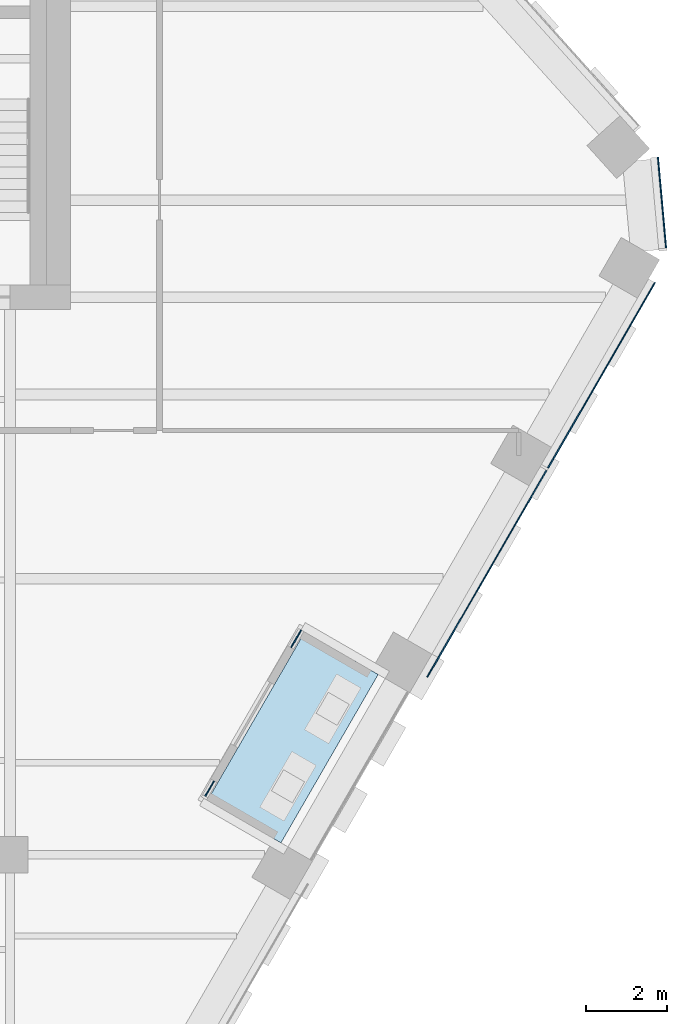
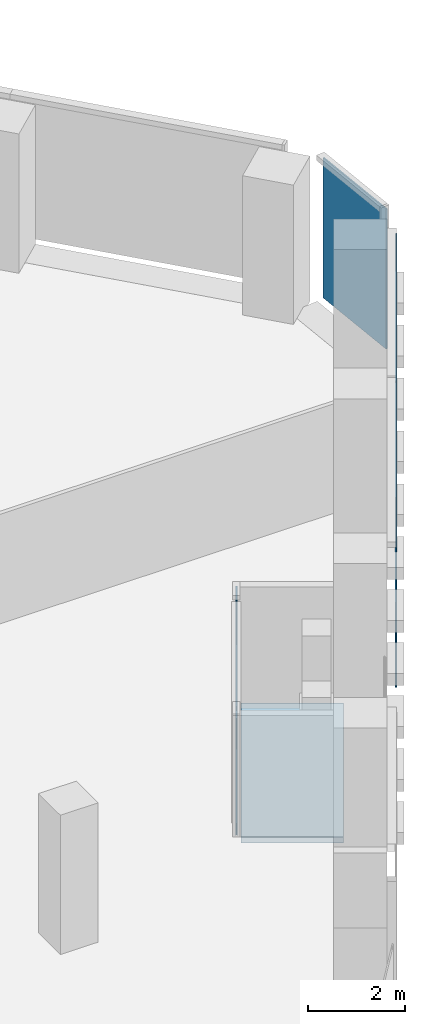
# One storey, part 12 of 24: 5 plates, 1 slab, 3 elements without a shape of their own.
"""IFC4 building model written with IfcOpenShell, lengths in metres."""

from ifc_helpers import new_model, si_unit, direction, frame, origin, origin_2d, place, context, subcontext, project, spatial, polyline, rectangle, outline, extrude, material, layer, layer_set, type_object, element, aggregate, save


model = new_model("IFC4")

# Units and contexts
model_context = context("Model", 3, precision=1e-05, world=origin(), true_north=direction((0.0, 1.0)))
body_context = subcontext(model_context, "Body", "Model", "MODEL_VIEW")
ifc_project = project(units=[si_unit("LENGTHUNIT", "METRE"), si_unit("AREAUNIT", "SQUARE_METRE"), si_unit("VOLUMEUNIT", "CUBIC_METRE"), si_unit("PLANEANGLEUNIT", "RADIAN"), si_unit("MASSUNIT", "GRAM", prefix="KILO")], contexts=[model_context])

# Site, building, storey
site_placement = place(None, origin())
site = spatial("IfcSite", under=ifc_project, at=site_placement, CompositionType="ELEMENT")
building_placement = place(site_placement, origin())
building = spatial("IfcBuilding", under=site, at=building_placement, Name="Isthmus Gate Tower", CompositionType="ELEMENT")
storey_placement = place(building_placement, frame((0.0, 0.0, 234.550048828125)))
storey = spatial("IfcBuildingStorey", under=building, at=storey_placement, Name="L59", CompositionType="ELEMENT", Elevation=234.550048828125)

# Curtain wall, plates
ifc_material_1 = material(Name="Aluminium, pale champagne anodised", Category="aluminium")
ifc_layer_1 = layer(ifc_material_1, 0.199951171875)
ifc_layer_set_1 = layer_set([ifc_layer_1], Name="CW-1 UNITISED CURTAIN WALL 200 DEEP")
curtain_wall_type_1 = type_object("IfcCurtainWallType", Name="CW-1 UNITISED CURTAIN WALL 200 DEEP", PredefinedType="NOTDEFINED", material=ifc_layer_set_1)
curtain_wall_1_placement = place(storey_placement, origin())
curtain_wall_1 = element("IfcCurtainWall", 1, at=curtain_wall_1_placement, inside=storey, type_object=curtain_wall_type_1, Name="CW-1 SE L59", PredefinedType="NOTDEFINED")
ifc_material_2 = material(Name="Laminated low-iron glass, pale blue tint", Category="glass")
ifc_layer_2 = layer(ifc_material_2, 0.031982421875)
ifc_layer_set_2 = layer_set([ifc_layer_2], Name="CW-1 CLEAR GLASS LITE 32")
plate_type_1 = type_object("IfcPlateType", Name="CW-1 CLEAR GLASS LITE 32", PredefinedType="CURTAIN_PANEL", material=ifc_layer_set_2)
plate_1_placement = place(storey_placement, frame((25.302734375, -6.54248046875, 0.0), z_axis=(0.0, 0.0, 1.0), x_axis=(0.5, 0.866025403784, 0.0)))
plate_1 = element("IfcPlate", 2, at=plate_1_placement, type_object=plate_type_1, Name="CW-1 glass lite", PredefinedType="CURTAIN_PANEL", context=body_context, shape_type="SweptSolid", body=[
    extrude(rectangle(XDim=5.91064453125, YDim=0.031982421875, at=origin_2d()), origin(), (0.0, 0.0, 1.0), 3.52001953125),
])
plate_2_placement = place(storey_placement, frame((28.135498046875, -1.635986328125, 0.0), z_axis=(0.0, 0.0, 1.0), x_axis=(0.5, 0.866025403784, 0.0)))
plate_2 = element("IfcPlate", 3, at=plate_2_placement, type_object=plate_type_1, Name="CW-1 glass lite", PredefinedType="CURTAIN_PANEL", context=body_context, shape_type="SweptSolid", body=[
    extrude(rectangle(XDim=5.300537109375, YDim=0.031982421875, at=origin_2d()), origin(), (0.0, 0.0, 1.0), 3.52001953125),
])
aggregate(curtain_wall_1, [plate_1, plate_2])

# Curtain wall, plate
curtain_wall_2_placement = place(storey_placement, origin())
curtain_wall_2 = element("IfcCurtainWall", 4, at=curtain_wall_2_placement, inside=storey, type_object=curtain_wall_type_1, Name="CW-1 SE-NE L59", PredefinedType="NOTDEFINED")
plate_3_placement = place(storey_placement, frame((29.63427734375, 2.638671875, 0.0), z_axis=(0.0, 0.0, 1.0), x_axis=(-0.089396669717, 0.995996102123, 0.0)))
plate_3 = element("IfcPlate", 5, at=plate_3_placement, type_object=plate_type_1, Name="CW-1 glass lite", PredefinedType="CURTAIN_PANEL", context=body_context, shape_type="SweptSolid", body=[
    extrude(rectangle(XDim=2.258544921875, YDim=0.031982421875, at=origin_2d()), origin(), (0.0, 0.0, 1.0), 3.52001953125),
])
aggregate(curtain_wall_2, [plate_3])

# Curtain wall, plates
ifc_material_3 = material(Name="Aluminium, pale champagne anodised", Category="aluminium")
ifc_layer_3 = layer(ifc_material_3, 0.14990234375)
ifc_layer_set_3 = layer_set([ifc_layer_3], Name="CW-6 LOGGIA BACK WALL GLAZING 150 DEEP")
curtain_wall_type_2 = type_object("IfcCurtainWallType", Name="CW-6 LOGGIA BACK WALL GLAZING 150 DEEP", PredefinedType="NOTDEFINED", material=ifc_layer_set_3)
curtain_wall_3_placement = place(storey_placement, origin())
curtain_wall_3 = element("IfcCurtainWall", 6, at=curtain_wall_3_placement, inside=storey, type_object=curtain_wall_type_2, Name="CW-6 SE L59", PredefinedType="NOTDEFINED")
ifc_material_4 = material(Name="Laminated low-iron glass, clear", Category="glass")
ifc_layer_4 = layer(ifc_material_4, 0.031982421875)
ifc_layer_set_4 = layer_set([ifc_layer_4], Name="CW-6 CLEAR GLASS LITE 32")
plate_type_2 = type_object("IfcPlateType", Name="CW-6 CLEAR GLASS LITE 32", PredefinedType="CURTAIN_PANEL", material=ifc_layer_set_4)
plate_4_placement = place(storey_placement, frame((18.440673828125, -11.85986328125, 0.0), z_axis=(0.0, 0.0, 1.0), x_axis=(0.5, 0.866025403784, 0.0)))
plate_4 = element("IfcPlate", 7, at=plate_4_placement, type_object=plate_type_2, Name="CW-6 glass lite", PredefinedType="CURTAIN_PANEL", context=body_context, shape_type="SweptSolid", body=[
    extrude(rectangle(XDim=0.43994140625, YDim=0.031982421875, at=origin_2d()), origin(), (0.0, 0.0, 1.0), 2.929931640625),
])
plate_5_placement = place(storey_placement, frame((20.5810546875, -8.152587890625, 0.0), z_axis=(0.0, 0.0, 1.0), x_axis=(0.5, 0.866025403784, 0.0)))
plate_5 = element("IfcPlate", 8, at=plate_5_placement, type_object=plate_type_2, Name="CW-6 glass lite", PredefinedType="CURTAIN_PANEL", context=body_context, shape_type="SweptSolid", body=[
    extrude(rectangle(XDim=0.5, YDim=0.031982421875, at=origin_2d()), origin(), (0.0, 0.0, 1.0), 2.929931640625),
])
aggregate(curtain_wall_3, [plate_4, plate_5])

# Slab
ifc_material_5 = material(Name="Concrete f'c 50 MPa", Category="concrete")
ifc_layer_5 = layer(ifc_material_5, 0.14990234375)
ifc_layer_set_5 = layer_set([ifc_layer_5], Name="LOGGIA FLOOR SLAB 150")
slab_type = type_object("IfcSlabType", Name="LOGGIA FLOOR SLAB 150", PredefinedType="FLOOR", material=ifc_layer_set_5)
slab_placement = place(storey_placement, frame((0.0, 0.0, -0.150146484375)))
element("IfcSlab", 9, at=slab_placement, inside=storey, type_object=slab_type, Name="LOGGIA FLOOR", PredefinedType="FLOOR", context=body_context, shape_type="SweptSolid", body=[
    extrude(outline(polyline([(20.2060546875, -13.2021484375), (22.611328125, -9.0361328125), (20.792724609375, -7.986083984375), (18.38720703125, -12.15234375), (20.2060546875, -13.2021484375)])), origin(), (0.0, 0.0, 1.0), 0.150146484375),
])

save(model, "model.ifc")
